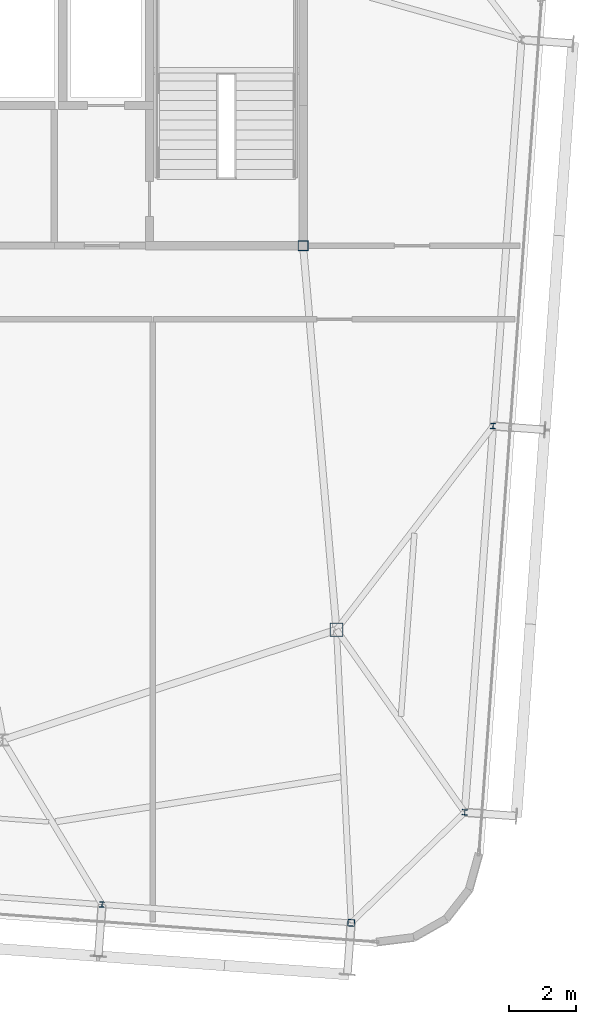
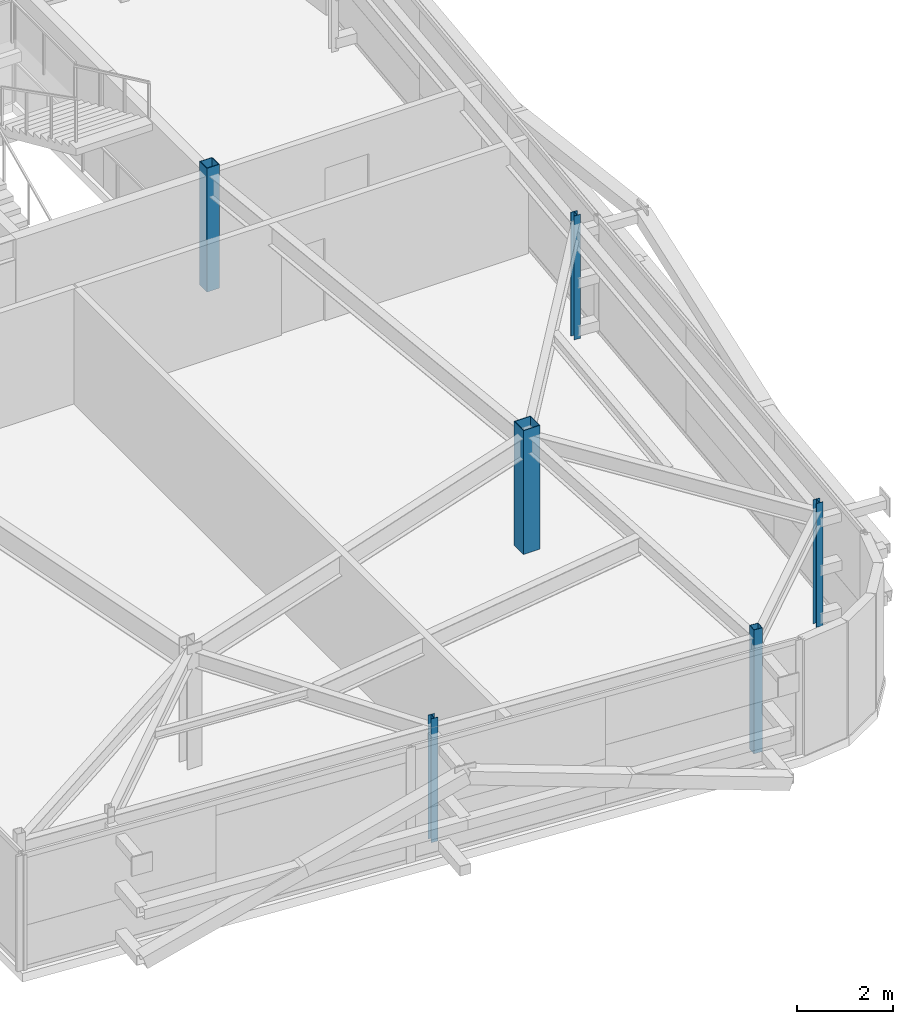
# One storey, part 5 of 39: 6 columns.
"""IFC4 building model written with IfcOpenShell, lengths in metres."""

from ifc_helpers import new_model, si_unit, direction, frame, origin, origin_2d, place, context, subcontext, project, spatial, hollow_rectangle, i_section, extrude, source, transform, mapped, material, material_profile, profile_set, type_object, element, save


model = new_model("IFC4")

# Units and contexts
model_context = context("Model", 3, precision=1e-05, world=origin(), true_north=direction((0.0, 1.0)))
body_context = subcontext(model_context, "Body", "Model", "MODEL_VIEW")
ifc_project = project(units=[si_unit("LENGTHUNIT", "METRE"), si_unit("AREAUNIT", "SQUARE_METRE"), si_unit("VOLUMEUNIT", "CUBIC_METRE"), si_unit("PLANEANGLEUNIT", "RADIAN"), si_unit("MASSUNIT", "GRAM", prefix="KILO")], contexts=[model_context])

# Site, building, storey
site_placement = place(None, origin())
site = spatial("IfcSite", under=ifc_project, at=site_placement, CompositionType="ELEMENT")
building_placement = place(site_placement, origin())
building = spatial("IfcBuilding", under=site, at=building_placement, Name="Taldren Reach Tower", CompositionType="ELEMENT")
storey_placement = place(building_placement, frame((0.0, 0.0, 230.300048828125)))
storey = spatial("IfcBuildingStorey", under=building, at=storey_placement, Name="L70", CompositionType="ELEMENT", Elevation=230.300048828125)

# Columns
ifc_material_1 = material(Name="Steel Gr 450 (C450L0)", Category="steel")
ifc_material_profile_1 = material_profile(ifc_material_1, hollow_rectangle(XDim=0.39990234375, YDim=0.39990234375, WallThickness=0.01611328125, at=origin_2d()), Name="400x400x16.0SHS")
ifc_profile_set_1 = profile_set([ifc_material_profile_1], Name="Steel Gr 450 (C450L0)")
column_type_1 = type_object("IfcColumnType", Name="COL-SHS400", PredefinedType="COLUMN", material=ifc_profile_set_1)
shared_shape_1 = source(origin(), body_context, "Body", "SweptSolid", [
    extrude(hollow_rectangle(XDim=0.39990234375, YDim=0.39990234375, WallThickness=0.01611328125, at=origin_2d()), origin(), (0.0, 0.0, 1.0), 3.14990234375),
])
column_1_placement = place(storey_placement, frame((52.0, 12.5, 0.0), z_axis=(0.0, 0.0, 1.0), x_axis=(1.0, 0.0, 0.0)))
element("IfcColumn", 1, at=column_1_placement, inside=storey, type_object=column_type_1, Name="Mega column MC-SE L70", PredefinedType="COLUMN", context=body_context, shape_type="MappedRepresentation", body=[
    mapped(shared_shape_1, transform((0.0, 0.0, 0.0), scale=1.0)),
])
ifc_material_profile_2 = material_profile(ifc_material_1, hollow_rectangle(XDim=0.300048828125, YDim=0.300048828125, WallThickness=0.012451171875, at=origin_2d()), Name="300x300x12.5SHS")
ifc_profile_set_2 = profile_set([ifc_material_profile_2], Name="Steel Gr 450 (C450L0)")
column_type_2 = type_object("IfcColumnType", Name="COL-SHS300", PredefinedType="COLUMN", material=ifc_profile_set_2)
shared_shape_2 = source(origin(), body_context, "Body", "SweptSolid", [
    extrude(hollow_rectangle(XDim=0.300048828125, YDim=0.300048828125, WallThickness=0.012451171875, at=origin_2d()), origin(), (0.0, 0.0, 1.0), 3.14990234375),
])
column_2_placement = place(storey_placement, frame((51.0, 24.0, 0.0), z_axis=(0.0, 0.0, 1.0), x_axis=(1.0, 0.0, 0.0)))
element("IfcColumn", 2, at=column_2_placement, inside=storey, type_object=column_type_2, Name="Mega column MC-C4 L70", PredefinedType="COLUMN", context=body_context, shape_type="MappedRepresentation", body=[
    mapped(shared_shape_2, transform((0.0, 0.0, 0.0), scale=1.0)),
])
ifc_material_2 = material(Name="Steel Gr 350 (C350L0)", Category="steel")
ifc_material_profile_3 = material_profile(ifc_material_2, hollow_rectangle(XDim=0.199951171875, YDim=0.199951171875, WallThickness=0.009033203125, at=origin_2d()), Name="200x200x9.0SHS")
ifc_profile_set_3 = profile_set([ifc_material_profile_3], Name="Steel Gr 350 (C350L0)")
column_type_3 = type_object("IfcColumnType", Name="COL-SHS200", PredefinedType="COLUMN", material=ifc_profile_set_3)
shared_shape_3 = source(origin(), body_context, "Body", "SweptSolid", [
    extrude(hollow_rectangle(XDim=0.199951171875, YDim=0.199951171875, WallThickness=0.009033203125, at=origin_2d()), origin(), (0.0, 0.0, 1.0), 3.14990234375),
])
column_3_placement = place(storey_placement, frame((52.440185546875, 3.72119140625, 0.0), z_axis=(0.0, 0.0, 1.0), x_axis=(0.997314477224, -0.073238197128, 0.0)))
element("IfcColumn", 3, at=column_3_placement, inside=storey, type_object=column_type_3, Name="Block B5 perimeter column S6 L70", PredefinedType="COLUMN", context=body_context, shape_type="MappedRepresentation", body=[
    mapped(shared_shape_3, transform((0.0, 0.0, 0.0), scale=1.0)),
])
ifc_material_3 = material(Name="Steel Gr 350 (350PLUS)", Category="steel")
ifc_material_profile_4 = material_profile(ifc_material_3, i_section(OverallWidth=0.154052734375, OverallDepth=0.162109375, WebThickness=0.008056640625, FlangeThickness=0.011474609375, at=origin_2d()), Name="150UC37.2")
ifc_profile_set_4 = profile_set([ifc_material_profile_4], Name="Steel Gr 350 (350PLUS)")
column_type_4 = type_object("IfcColumnType", Name="COL-UC150", PredefinedType="COLUMN", material=ifc_profile_set_4)
shared_shape_4 = source(origin(), body_context, "Body", "SweptSolid", [
    extrude(i_section(OverallWidth=0.154052734375, OverallDepth=0.162109375, WebThickness=0.008056640625, FlangeThickness=0.011474609375, at=origin_2d()), origin(), (0.0, 0.0, 1.0), 3.14990234375),
])
for number, where, z_axis, x_axis, name in (
    (4, (44.980224609375, 4.26904296875, 0.0), (0.0, 0.0, 1.0), (0.997314477224, -0.073238197128, 0.0), "Block B5 perimeter column S5 L70"),
    (5, (55.841796875, 7.031005859375, 0.0), (0.0, 0.0, 1.0), (0.997314477224, -0.073238197128, 0.0), "Block B5 perimeter column E1 L70"),
    (6, (56.69140625, 18.599853515625, 0.0), (0.0, 0.0, 1.0), (0.997314477224, -0.073238197128, 0.0), "Block B5 perimeter column E2 L70"),
):
    element("IfcColumn", number, at=place(storey_placement, frame(where, z_axis=z_axis, x_axis=x_axis)), inside=storey, type_object=column_type_4, Name=name, PredefinedType="COLUMN", context=body_context, shape_type="MappedRepresentation", body=[
        mapped(shared_shape_4, transform((0.0, 0.0, 0.0), scale=1.0)),
    ])

save(model, "model.ifc")
